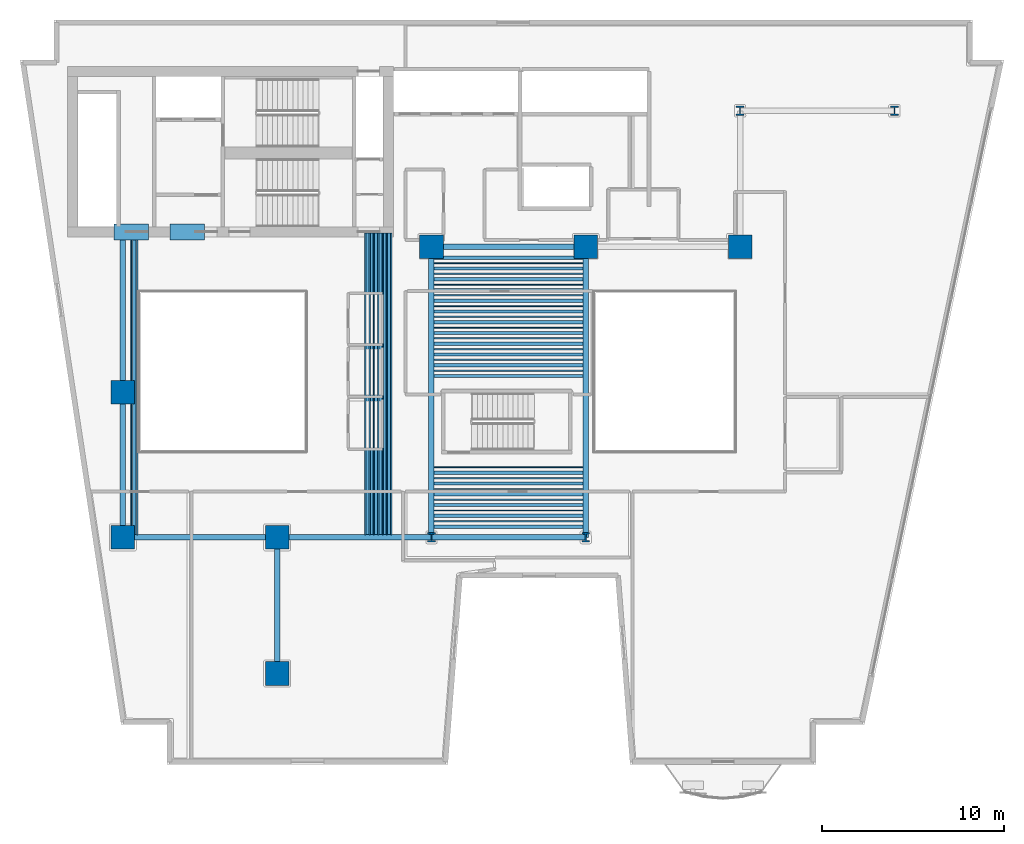
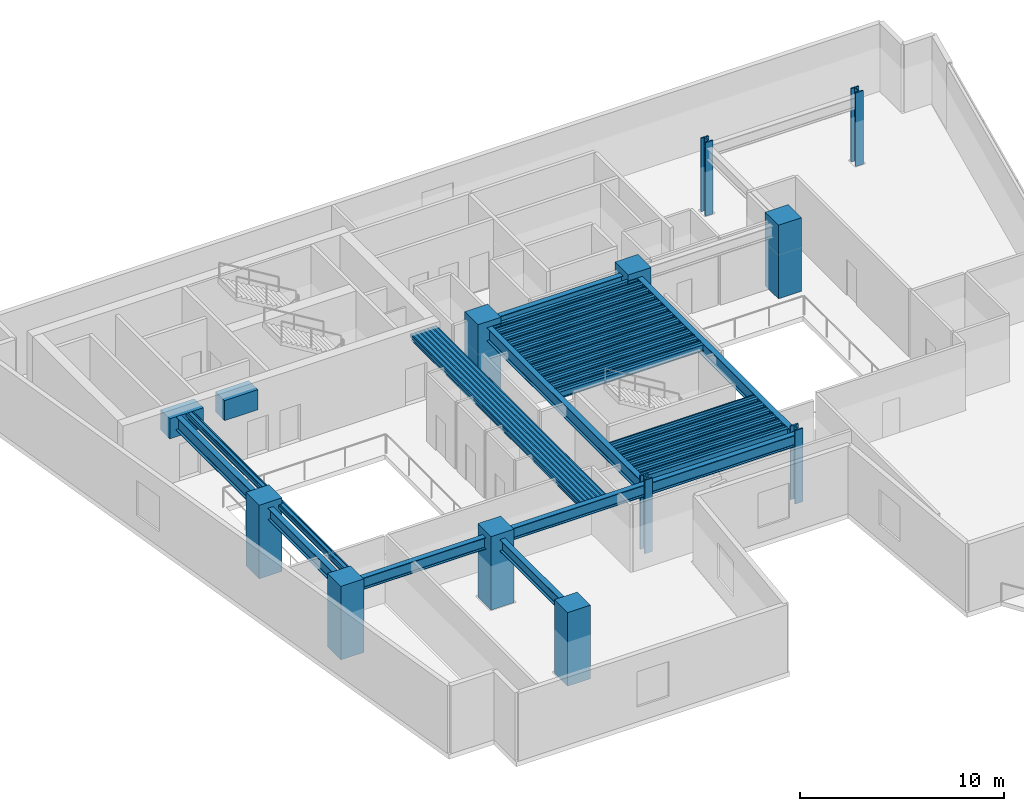
# One storey, part 1 of 11: 62 beams, 11 columns.
"""IFC4 building model written with IfcOpenShell, lengths in metres."""

from ifc_helpers import new_model, si_unit, direction, frame, origin, origin_2d, place, context, subcontext, project, spatial, rectangle, hollow_rectangle, i_section, extrude, material, material_profile, profile_set, type_object, element, save


model = new_model("IFC4")

# Units and contexts
model_context = context("Model", 3, precision=1e-05, world=origin(), true_north=direction((0.0, 1.0)))
body_context = subcontext(model_context, "Body", "Model", "MODEL_VIEW")
ifc_project = project(units=[si_unit("LENGTHUNIT", "METRE"), si_unit("AREAUNIT", "SQUARE_METRE"), si_unit("VOLUMEUNIT", "CUBIC_METRE"), si_unit("PLANEANGLEUNIT", "RADIAN"), si_unit("MASSUNIT", "GRAM", prefix="KILO")], contexts=[model_context])

# Site, building, storey
site_placement = place(None, origin())
site = spatial("IfcSite", under=ifc_project, at=site_placement, CompositionType="ELEMENT")
building_placement = place(site_placement, origin())
building = spatial("IfcBuilding", under=site, at=building_placement, Name="Caeloran Harvest Quay", CompositionType="ELEMENT")
storey_placement = place(building_placement, frame((0.0, 0.0, 101.800048828125)))
storey = spatial("IfcBuildingStorey", under=building, at=storey_placement, Name="L23", CompositionType="ELEMENT", Elevation=101.800048828125)

# Columns
ifc_material_1 = material(Name="Concrete C80/95", Category="concrete")
ifc_material_profile_1 = material_profile(ifc_material_1, rectangle(XDim=1.300048828125, YDim=1.300048828125, at=origin_2d()), Name="RC 1300x1300")
ifc_profile_set_1 = profile_set([ifc_material_profile_1], Name="Concrete C80/95")
column_type_1 = type_object("IfcColumnType", Name="COL-MC-2-RC_1300x1300", PredefinedType="COLUMN", material=ifc_profile_set_1)
for number, where, z_axis, x_axis, name in (
    (1, (8.5, 15.0, 0.0), (0.0, 0.0, 1.0), (1.0, 0.0, 0.0), "L23 Structural Column (8.5, 15.0)"),
    (2, (8.5, 23.0, 0.0), (0.0, 0.0, 1.0), (1.0, 0.0, 0.0), "L23 Structural Column (8.5, 23.0)"),
    (3, (17.0, 7.5, 0.0), (0.0, 0.0, 1.0), (1.0, 0.0, 0.0), "L23 Structural Column (17.0, 7.5)"),
    (4, (17.0, 15.0, 0.0), (0.0, 0.0, 1.0), (1.0, 0.0, 0.0), "L23 Structural Column (17.0, 15.0)"),
    (5, (25.5, 31.0, 0.0), (0.0, 0.0, 1.0), (1.0, 0.0, 0.0), "L23 Structural Column (25.5, 31.0)"),
    (6, (34.0, 31.0, 0.0), (0.0, 0.0, 1.0), (1.0, 0.0, 0.0), "L23 Structural Column (34.0, 31.0)"),
    (7, (42.5, 31.0, 0.0), (0.0, 0.0, 1.0), (1.0, 0.0, 0.0), "L23 Structural Column (42.5, 31.0)"),
):
    element("IfcColumn", number, at=place(storey_placement, frame(where, z_axis=z_axis, x_axis=x_axis)), inside=storey, type_object=column_type_1, Name=name, PredefinedType="COLUMN", context=body_context, shape_type="SweptSolid", body=[
        extrude(rectangle(XDim=1.300048828125, YDim=1.300048828125, at=origin_2d()), origin(), (0.0, 0.0, 1.0), 4.39990234375),
    ])
ifc_material_2 = material(Name="Steel HISTAR 460", Category="steel")
ifc_material_profile_2 = material_profile(ifc_material_2, i_section(OverallWidth=0.43701171875, OverallDepth=0.513916015625, WebThickness=0.060546875, FlangeThickness=0.076904296875, FilletRadius=0.014892578125, at=origin_2d()), Name="HD 400x818")
ifc_profile_set_2 = profile_set([ifc_material_profile_2], Name="Steel HISTAR 460")
column_type_2 = type_object("IfcColumnType", Name="COL-SC-2-HD_400x818", PredefinedType="COLUMN", material=ifc_profile_set_2)
for number, where, z_axis, x_axis, name in (
    (8, (25.5, 15.0, 0.0), (0.0, 0.0, 1.0), (1.0, 0.0, 0.0), "L23 Structural Column (25.5, 15.0)"),
    (9, (34.0, 15.0, 0.0), (0.0, 0.0, 1.0), (1.0, 0.0, 0.0), "L23 Structural Column (34.0, 15.0)"),
    (10, (42.5, 38.5, 0.0), (0.0, 0.0, 1.0), (1.0, 0.0, 0.0), "L23 Structural Column (42.5, 38.5)"),
    (11, (51.0, 38.5, 0.0), (0.0, 0.0, 1.0), (1.0, 0.0, 0.0), "L23 Structural Column (51.0, 38.5)"),
):
    element("IfcColumn", number, at=place(storey_placement, frame(where, z_axis=z_axis, x_axis=x_axis)), inside=storey, type_object=column_type_2, Name=name, PredefinedType="COLUMN", context=body_context, shape_type="SweptSolid", body=[
        extrude(i_section(OverallWidth=0.43701171875, OverallDepth=0.513916015625, WebThickness=0.060546875, FlangeThickness=0.076904296875, FilletRadius=0.014892578125, at=origin_2d()), origin(), (0.0, 0.0, 1.0), 4.39990234375),
    ])

# Beams
ifc_material_profile_3 = material_profile(ifc_material_1, rectangle(XDim=0.89990234375, YDim=1.199951171875, at=origin_2d()), Name="RC 900x1200")
ifc_profile_set_3 = profile_set([ifc_material_profile_3], Name="Concrete C80/95")
beam_type_1 = type_object("IfcBeamType", Name="BM-CB-1-RC_900x1200", PredefinedType="LINTEL", material=ifc_profile_set_3)
for number, where, z_axis, x_axis, name in (
    (12, (8.0, 31.824951171875, 3.449951171875), (1.0, 0.0, 0.0), (0.0, 1.0, 0.0), "L23 Core Coupling Beam 1"),
    (13, (11.10009765625, 31.824951171875, 3.449951171875), (1.0, 0.0, 0.0), (0.0, 1.0, 0.0), "L23 Core Coupling Beam 2"),
):
    element("IfcBeam", number, at=place(storey_placement, frame(where, z_axis=z_axis, x_axis=x_axis)), inside=storey, type_object=beam_type_1, Name=name, PredefinedType="LINTEL", context=body_context, shape_type="SweptSolid", body=[
        extrude(rectangle(XDim=0.89990234375, YDim=1.199951171875, at=origin_2d()), origin(), (0.0, 0.0, 1.0), 1.89990234375),
    ])
ifc_material_3 = material(Name="Steel S355J2", Category="steel")
ifc_material_profile_4 = material_profile(ifc_material_3, i_section(OverallWidth=0.300048828125, OverallDepth=0.800048828125, WebThickness=0.017578125, FlangeThickness=0.032958984375, FilletRadius=0.030029296875, at=origin_2d()), Name="HE 800 B")
ifc_profile_set_4 = profile_set([ifc_material_profile_4], Name="Steel S355J2")
beam_type_2 = type_object("IfcBeamType", Name="BM-PG-1-HE_800_B", PredefinedType="BEAM", material=ifc_profile_set_4)
beam_1_placement = place(storey_placement, frame((8.5, 23.0, 3.64990234375), z_axis=(0.0, 1.0, 0.0), x_axis=(-1.0, 0.0, 0.0)))
element("IfcBeam", 14, at=beam_1_placement, inside=storey, type_object=beam_type_2, Name="L23 Core South Tie Girder X=8.5", PredefinedType="BEAM", context=body_context, shape_type="SweptSolid", body=[
    extrude(i_section(OverallWidth=0.300048828125, OverallDepth=0.800048828125, WebThickness=0.017578125, FlangeThickness=0.032958984375, FilletRadius=0.030029296875, at=origin_2d()), origin(), (0.0, 0.0, 1.0), 8.77490234375),
])
for number, where, z_axis, x_axis, name in (
    (15, (25.5, 15.0, 3.64990234375), (0.0, 1.0, 0.0), (-1.0, 0.0, 0.0), "L23 Primary North-South Girder X=25.5"),
    (16, (34.0, 15.0, 3.64990234375), (0.0, 1.0, 0.0), (-1.0, 0.0, 0.0), "L23 Primary North-South Girder X=34.0"),
):
    element("IfcBeam", number, at=place(storey_placement, frame(where, z_axis=z_axis, x_axis=x_axis)), inside=storey, type_object=beam_type_2, Name=name, PredefinedType="BEAM", context=body_context, shape_type="SweptSolid", body=[
        extrude(i_section(OverallWidth=0.300048828125, OverallDepth=0.800048828125, WebThickness=0.017578125, FlangeThickness=0.032958984375, FilletRadius=0.030029296875, at=origin_2d()), origin(), (0.0, 0.0, 1.0), 16.0),
    ])
ifc_material_profile_5 = material_profile(ifc_material_3, i_section(OverallWidth=0.300048828125, OverallDepth=0.699951171875, WebThickness=0.01708984375, FlangeThickness=0.031982421875, FilletRadius=0.027099609375, at=origin_2d()), Name="HE 700 B")
ifc_profile_set_5 = profile_set([ifc_material_profile_5], Name="Steel S355J2")
beam_type_3 = type_object("IfcBeamType", Name="BM-PG-2-HE_700_B", PredefinedType="BEAM", material=ifc_profile_set_5)
for number, where, z_axis, x_axis, name in (
    (17, (8.5, 15.0, 3.699951171875), (1.0, 0.0, 0.0), (0.0, 1.0, 0.0), "L23 Primary East-West Girder Y=15.0"),
    (18, (17.0, 15.0, 3.699951171875), (1.0, 0.0, 0.0), (0.0, 1.0, 0.0), "L23 Primary East-West Girder Y=15.0"),
    (19, (25.5, 15.0, 3.699951171875), (1.0, 0.0, 0.0), (0.0, 1.0, 0.0), "L23 Primary East-West Girder Y=15.0"),
    (20, (25.5, 31.0, 3.699951171875), (1.0, 0.0, 0.0), (0.0, 1.0, 0.0), "L23 Primary East-West Girder Y=31.0"),
):
    element("IfcBeam", number, at=place(storey_placement, frame(where, z_axis=z_axis, x_axis=x_axis)), inside=storey, type_object=beam_type_3, Name=name, PredefinedType="BEAM", context=body_context, shape_type="SweptSolid", body=[
        extrude(i_section(OverallWidth=0.300048828125, OverallDepth=0.699951171875, WebThickness=0.01708984375, FlangeThickness=0.031982421875, FilletRadius=0.027099609375, at=origin_2d()), origin(), (0.0, 0.0, 1.0), 8.5),
    ])
beam_2_placement = place(storey_placement, frame((8.5, 15.0, 3.699951171875), z_axis=(0.0, 1.0, 0.0), x_axis=(-1.0, 0.0, 0.0)))
element("IfcBeam", 21, at=beam_2_placement, inside=storey, type_object=beam_type_3, Name="L23 Primary North-South Girder X=8.5", PredefinedType="BEAM", context=body_context, shape_type="SweptSolid", body=[
    extrude(i_section(OverallWidth=0.300048828125, OverallDepth=0.699951171875, WebThickness=0.01708984375, FlangeThickness=0.031982421875, FilletRadius=0.027099609375, at=origin_2d()), origin(), (0.0, 0.0, 1.0), 8.0),
])
beam_3_placement = place(storey_placement, frame((17.0, 7.5, 3.699951171875), z_axis=(0.0, 1.0, 0.0), x_axis=(-1.0, 0.0, 0.0)))
element("IfcBeam", 22, at=beam_3_placement, inside=storey, type_object=beam_type_3, Name="L23 Primary North-South Girder X=17.0", PredefinedType="BEAM", context=body_context, shape_type="SweptSolid", body=[
    extrude(i_section(OverallWidth=0.300048828125, OverallDepth=0.699951171875, WebThickness=0.01708984375, FlangeThickness=0.031982421875, FilletRadius=0.027099609375, at=origin_2d()), origin(), (0.0, 0.0, 1.0), 7.5),
])
ifc_material_profile_6 = material_profile(ifc_material_3, i_section(OverallWidth=0.179931640625, OverallDepth=0.39990234375, WebThickness=0.008544921875, FlangeThickness=0.013427734375, FilletRadius=0.02099609375, at=origin_2d()), Name="IPE 400")
ifc_profile_set_6 = profile_set([ifc_material_profile_6], Name="Steel S355J2")
beam_type_4 = type_object("IfcBeamType", Name="BM-SB-4-IPE_400", PredefinedType="JOIST", material=ifc_profile_set_6)
for number, where, z_axis, x_axis, name in (
    (23, (9.129638671875, 15.14501953125, 3.849853515625), (0.0, 1.0, 0.0), (-1.0, 0.0, 0.0), "L23 Secondary Composite Joist"),
    (24, (21.977783203125, 15.14501953125, 3.849853515625), (0.0, 1.0, 0.0), (-1.0, 0.0, 0.0), "L23 Secondary Composite Joist"),
    (25, (22.21484375, 15.14501953125, 3.849853515625), (0.0, 1.0, 0.0), (-1.0, 0.0, 0.0), "L23 Secondary Composite Joist"),
    (26, (22.451904296875, 15.14501953125, 3.849853515625), (0.0, 1.0, 0.0), (-1.0, 0.0, 0.0), "L23 Secondary Composite Joist"),
    (27, (22.68896484375, 15.14501953125, 3.849853515625), (0.0, 1.0, 0.0), (-1.0, 0.0, 0.0), "L23 Secondary Composite Joist"),
    (28, (22.92578125, 15.14501953125, 3.849853515625), (0.0, 1.0, 0.0), (-1.0, 0.0, 0.0), "L23 Secondary Composite Joist"),
    (29, (23.1630859375, 15.14501953125, 3.849853515625), (0.0, 1.0, 0.0), (-1.0, 0.0, 0.0), "L23 Secondary Composite Joist"),
):
    element("IfcBeam", number, at=place(storey_placement, frame(where, z_axis=z_axis, x_axis=x_axis)), inside=storey, type_object=beam_type_4, Name=name, PredefinedType="JOIST", context=body_context, shape_type="SweptSolid", body=[
        extrude(i_section(OverallWidth=0.179931640625, OverallDepth=0.39990234375, WebThickness=0.008544921875, FlangeThickness=0.013427734375, FilletRadius=0.02099609375, at=origin_2d()), origin(), (0.0, 0.0, 1.0), 16.6298828125),
    ])
for number, where, z_axis, x_axis, name in (
    (30, (25.64501953125, 15.592529296875, 3.849853515625), (1.0, 0.0, 0.0), (0.0, 1.0, 0.0), "L23 Secondary East-West Composite Joist"),
    (31, (25.64501953125, 16.185302734375, 3.849853515625), (1.0, 0.0, 0.0), (0.0, 1.0, 0.0), "L23 Secondary East-West Composite Joist"),
    (32, (25.64501953125, 16.77783203125, 3.849853515625), (1.0, 0.0, 0.0), (0.0, 1.0, 0.0), "L23 Secondary East-West Composite Joist"),
    (33, (25.64501953125, 17.370361328125, 3.849853515625), (1.0, 0.0, 0.0), (0.0, 1.0, 0.0), "L23 Secondary East-West Composite Joist"),
    (34, (25.64501953125, 17.962890625, 3.849853515625), (1.0, 0.0, 0.0), (0.0, 1.0, 0.0), "L23 Secondary East-West Composite Joist"),
    (35, (25.64501953125, 18.5556640625, 3.849853515625), (1.0, 0.0, 0.0), (0.0, 1.0, 0.0), "L23 Secondary East-West Composite Joist"),
    (36, (25.64501953125, 23.888916015625, 3.849853515625), (1.0, 0.0, 0.0), (0.0, 1.0, 0.0), "L23 Secondary East-West Composite Joist"),
    (37, (25.64501953125, 24.4814453125, 3.849853515625), (1.0, 0.0, 0.0), (0.0, 1.0, 0.0), "L23 Secondary East-West Composite Joist"),
    (38, (25.64501953125, 25.07421875, 3.849853515625), (1.0, 0.0, 0.0), (0.0, 1.0, 0.0), "L23 Secondary East-West Composite Joist"),
    (39, (25.64501953125, 25.666748046875, 3.849853515625), (1.0, 0.0, 0.0), (0.0, 1.0, 0.0), "L23 Secondary East-West Composite Joist"),
    (40, (25.64501953125, 26.25927734375, 3.849853515625), (1.0, 0.0, 0.0), (0.0, 1.0, 0.0), "L23 Secondary East-West Composite Joist"),
    (41, (25.64501953125, 26.851806640625, 3.849853515625), (1.0, 0.0, 0.0), (0.0, 1.0, 0.0), "L23 Secondary East-West Composite Joist"),
    (42, (25.64501953125, 27.4443359375, 3.849853515625), (1.0, 0.0, 0.0), (0.0, 1.0, 0.0), "L23 Secondary East-West Composite Joist"),
    (43, (25.64501953125, 28.037109375, 3.849853515625), (1.0, 0.0, 0.0), (0.0, 1.0, 0.0), "L23 Secondary East-West Composite Joist"),
    (44, (25.64501953125, 28.629638671875, 3.849853515625), (1.0, 0.0, 0.0), (0.0, 1.0, 0.0), "L23 Secondary East-West Composite Joist"),
    (45, (25.64501953125, 29.22216796875, 3.849853515625), (1.0, 0.0, 0.0), (0.0, 1.0, 0.0), "L23 Secondary East-West Composite Joist"),
    (46, (25.64501953125, 29.814697265625, 3.849853515625), (1.0, 0.0, 0.0), (0.0, 1.0, 0.0), "L23 Secondary East-West Composite Joist"),
    (47, (25.64501953125, 30.407470703125, 3.849853515625), (1.0, 0.0, 0.0), (0.0, 1.0, 0.0), "L23 Secondary East-West Composite Joist"),
):
    element("IfcBeam", number, at=place(storey_placement, frame(where, z_axis=z_axis, x_axis=x_axis)), inside=storey, type_object=beam_type_4, Name=name, PredefinedType="JOIST", context=body_context, shape_type="SweptSolid", body=[
        extrude(i_section(OverallWidth=0.179931640625, OverallDepth=0.39990234375, WebThickness=0.008544921875, FlangeThickness=0.013427734375, FilletRadius=0.02099609375, at=origin_2d()), origin(), (0.0, 0.0, 1.0), 8.2099609375),
    ])
ifc_material_profile_7 = material_profile(ifc_material_3, hollow_rectangle(XDim=0.080078125, YDim=0.199951171875, WallThickness=0.006103515625, InnerFilletRadius=0.006103515625, OuterFilletRadius=0.009033203125, at=origin_2d()), Name="RHS 200x80x6")
ifc_profile_set_7 = profile_set([ifc_material_profile_7], Name="Steel S355J2")
beam_type_5 = type_object("IfcBeamType", Name="BM-SB-7-RHS_200x80x6", PredefinedType="JOIST", material=ifc_profile_set_7)
for number, where, z_axis, x_axis, name in (
    (48, (8.97216796875, 15.14501953125, 3.949951171875), (0.0, 1.0, 0.0), (-1.0, 0.0, 0.0), "L23 Secondary Composite Joist"),
    (49, (9.287109375, 15.14501953125, 3.949951171875), (0.0, 1.0, 0.0), (-1.0, 0.0, 0.0), "L23 Secondary Composite Joist"),
    (50, (21.859375, 15.14501953125, 3.949951171875), (0.0, 1.0, 0.0), (-1.0, 0.0, 0.0), "L23 Secondary Composite Joist"),
    (51, (22.09619140625, 15.14501953125, 3.949951171875), (0.0, 1.0, 0.0), (-1.0, 0.0, 0.0), "L23 Secondary Composite Joist"),
    (52, (22.333251953125, 15.14501953125, 3.949951171875), (0.0, 1.0, 0.0), (-1.0, 0.0, 0.0), "L23 Secondary Composite Joist"),
    (53, (22.5703125, 15.14501953125, 3.949951171875), (0.0, 1.0, 0.0), (-1.0, 0.0, 0.0), "L23 Secondary Composite Joist"),
    (54, (22.807373046875, 15.14501953125, 3.949951171875), (0.0, 1.0, 0.0), (-1.0, 0.0, 0.0), "L23 Secondary Composite Joist"),
    (55, (23.04443359375, 15.14501953125, 3.949951171875), (0.0, 1.0, 0.0), (-1.0, 0.0, 0.0), "L23 Secondary Composite Joist"),
    (56, (23.281494140625, 15.14501953125, 3.949951171875), (0.0, 1.0, 0.0), (-1.0, 0.0, 0.0), "L23 Secondary Composite Joist"),
):
    element("IfcBeam", number, at=place(storey_placement, frame(where, z_axis=z_axis, x_axis=x_axis)), inside=storey, type_object=beam_type_5, Name=name, PredefinedType="JOIST", context=body_context, shape_type="SweptSolid", body=[
        extrude(hollow_rectangle(XDim=0.080078125, YDim=0.199951171875, WallThickness=0.006103515625, InnerFilletRadius=0.006103515625, OuterFilletRadius=0.009033203125, at=origin_2d()), origin(), (0.0, 0.0, 1.0), 16.6298828125),
    ])
for number, where, z_axis, x_axis, name in (
    (57, (25.64501953125, 15.888916015625, 3.949951171875), (1.0, 0.0, 0.0), (0.0, 1.0, 0.0), "L23 Secondary East-West Composite Joist"),
    (58, (25.64501953125, 16.4814453125, 3.949951171875), (1.0, 0.0, 0.0), (0.0, 1.0, 0.0), "L23 Secondary East-West Composite Joist"),
    (59, (25.64501953125, 17.07421875, 3.949951171875), (1.0, 0.0, 0.0), (0.0, 1.0, 0.0), "L23 Secondary East-West Composite Joist"),
    (60, (25.64501953125, 17.666748046875, 3.949951171875), (1.0, 0.0, 0.0), (0.0, 1.0, 0.0), "L23 Secondary East-West Composite Joist"),
    (61, (25.64501953125, 18.25927734375, 3.949951171875), (1.0, 0.0, 0.0), (0.0, 1.0, 0.0), "L23 Secondary East-West Composite Joist"),
    (62, (25.64501953125, 18.851806640625, 3.949951171875), (1.0, 0.0, 0.0), (0.0, 1.0, 0.0), "L23 Secondary East-West Composite Joist"),
    (63, (25.64501953125, 24.185302734375, 3.949951171875), (1.0, 0.0, 0.0), (0.0, 1.0, 0.0), "L23 Secondary East-West Composite Joist"),
    (64, (25.64501953125, 24.77783203125, 3.949951171875), (1.0, 0.0, 0.0), (0.0, 1.0, 0.0), "L23 Secondary East-West Composite Joist"),
    (65, (25.64501953125, 25.370361328125, 3.949951171875), (1.0, 0.0, 0.0), (0.0, 1.0, 0.0), "L23 Secondary East-West Composite Joist"),
    (66, (25.64501953125, 25.962890625, 3.949951171875), (1.0, 0.0, 0.0), (0.0, 1.0, 0.0), "L23 Secondary East-West Composite Joist"),
    (67, (25.64501953125, 26.5556640625, 3.949951171875), (1.0, 0.0, 0.0), (0.0, 1.0, 0.0), "L23 Secondary East-West Composite Joist"),
    (68, (25.64501953125, 27.148193359375, 3.949951171875), (1.0, 0.0, 0.0), (0.0, 1.0, 0.0), "L23 Secondary East-West Composite Joist"),
    (69, (25.64501953125, 27.74072265625, 3.949951171875), (1.0, 0.0, 0.0), (0.0, 1.0, 0.0), "L23 Secondary East-West Composite Joist"),
    (70, (25.64501953125, 28.333251953125, 3.949951171875), (1.0, 0.0, 0.0), (0.0, 1.0, 0.0), "L23 Secondary East-West Composite Joist"),
    (71, (25.64501953125, 28.92578125, 3.949951171875), (1.0, 0.0, 0.0), (0.0, 1.0, 0.0), "L23 Secondary East-West Composite Joist"),
    (72, (25.64501953125, 29.5185546875, 3.949951171875), (1.0, 0.0, 0.0), (0.0, 1.0, 0.0), "L23 Secondary East-West Composite Joist"),
    (73, (25.64501953125, 30.111083984375, 3.949951171875), (1.0, 0.0, 0.0), (0.0, 1.0, 0.0), "L23 Secondary East-West Composite Joist"),
):
    element("IfcBeam", number, at=place(storey_placement, frame(where, z_axis=z_axis, x_axis=x_axis)), inside=storey, type_object=beam_type_5, Name=name, PredefinedType="JOIST", context=body_context, shape_type="SweptSolid", body=[
        extrude(hollow_rectangle(XDim=0.080078125, YDim=0.199951171875, WallThickness=0.006103515625, InnerFilletRadius=0.006103515625, OuterFilletRadius=0.009033203125, at=origin_2d()), origin(), (0.0, 0.0, 1.0), 8.2099609375),
    ])

save(model, "model.ifc")
